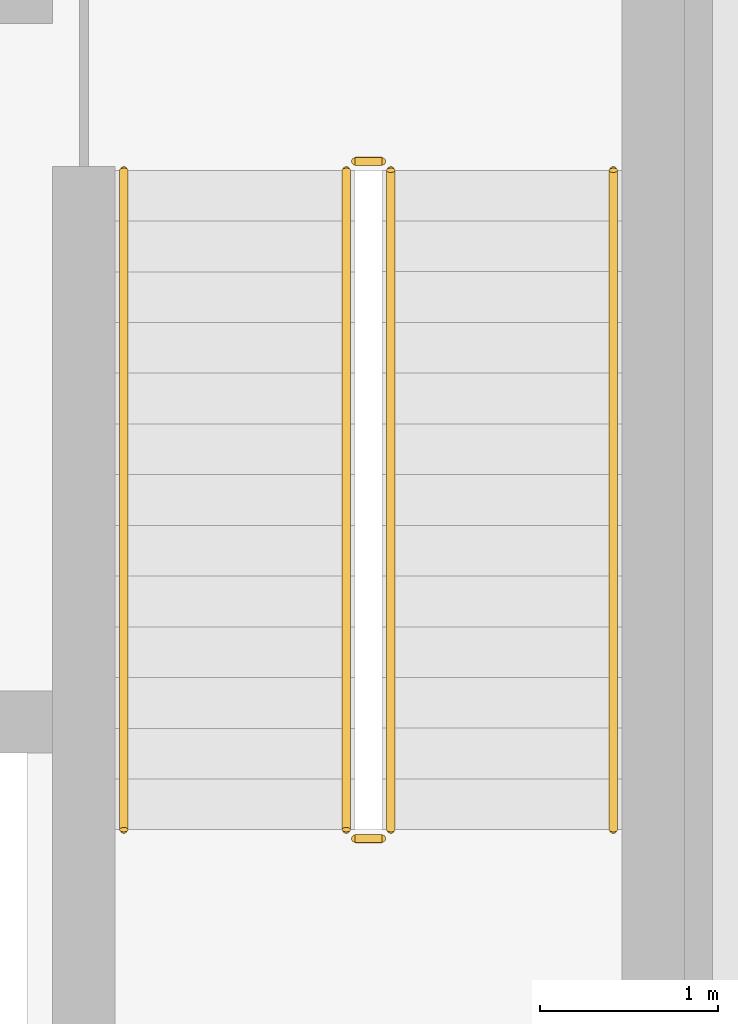
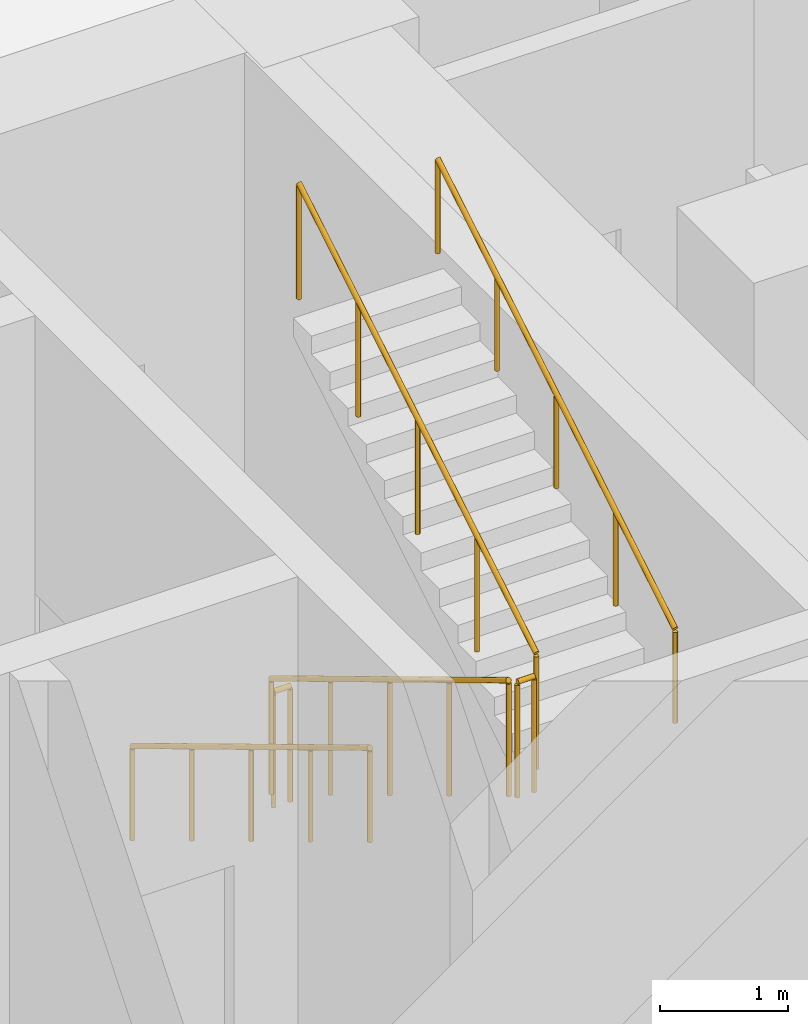
# One storey, part 12 of 13: 6 railings.
"""IFC4 building model written with IfcOpenShell, lengths in metres."""

from ifc_helpers import new_model, si_unit, direction, frame, origin, origin_2d, place, context, subcontext, project, spatial, circle, extrude, material, type_object, element, save


model = new_model("IFC4")

# Units and contexts
model_context = context("Model", 3, precision=1e-05, world=origin(), true_north=direction((0.0, 1.0)))
body_context = subcontext(model_context, "Body", "Model", "MODEL_VIEW")
ifc_project = project(units=[si_unit("LENGTHUNIT", "METRE"), si_unit("AREAUNIT", "SQUARE_METRE"), si_unit("VOLUMEUNIT", "CUBIC_METRE"), si_unit("PLANEANGLEUNIT", "RADIAN"), si_unit("MASSUNIT", "GRAM", prefix="KILO")], contexts=[model_context])

# Site, building, storey
site_placement = place(None, origin())
site = spatial("IfcSite", under=ifc_project, at=site_placement, CompositionType="ELEMENT")
building_placement = place(site_placement, origin())
building = spatial("IfcBuilding", under=site, at=building_placement, Name="Almagre Mirador Tower", CompositionType="ELEMENT")
storey_placement = place(building_placement, frame((0.0, 0.0, 100.199951171875)))
storey = spatial("IfcBuildingStorey", under=building, at=storey_placement, Name="L25", CompositionType="ELEMENT", Elevation=100.199951171875)

# Railings
ifc_material_1 = material(Name="Painted galvanized steel", Category="steel")
railing_type_1 = type_object("IfcRailingType", Name="RLG-GRD-1100", PredefinedType="GUARDRAIL", material=ifc_material_1)
railing_1_placement = place(storey_placement, frame((44.77490234375, 11.199951171875, 0.17138671875)))
element("IfcRailing", 1, at=railing_1_placement, inside=storey, type_object=railing_type_1, Name="L25 ST-3 stair guard 1", PredefinedType="GUARDRAIL", context=body_context, shape_type="SweptSolid", body=[
    extrude(circle(Radius=0.02392578125, at=origin_2d()), frame((0.0, 0.0, 1.09619140625), z_axis=(0.0, -0.856894455432, 0.515491893485), x_axis=(1.0, 0.0, 0.0)), (0.0, 0.0, 1.0), 4.323486328125),
    extrude(circle(Radius=0.02099609375, at=origin_2d()), origin(), (0.0, 0.0, 1.0), 1.072021484375),
    extrude(circle(Radius=0.02099609375, at=origin_2d()), frame((0.0, -0.92626953125, 0.55712890625)), (0.0, 0.0, 1.0), 1.072021484375),
    extrude(circle(Radius=0.02099609375, at=origin_2d()), frame((0.0, -1.8525390625, 1.1142578125)), (0.0, 0.0, 1.0), 1.072021484375),
    extrude(circle(Radius=0.02099609375, at=origin_2d()), frame((0.0, -2.778564453125, 1.671630859375)), (0.0, 0.0, 1.0), 1.072021484375),
    extrude(circle(Radius=0.02099609375, at=origin_2d()), frame((0.0, -3.704833984375, 2.228759765625)), (0.0, 0.0, 1.0), 1.072021484375),
])
railing_2_placement = place(storey_placement, frame((44.824951171875, 7.445068359375, 2.400146484375)))
element("IfcRailing", 2, at=railing_2_placement, inside=storey, type_object=railing_type_1, Name="L25 ST-3 stair guard 2", PredefinedType="GUARDRAIL", context=body_context, shape_type="SweptSolid", body=[
    extrude(circle(Radius=0.02392578125, at=origin_2d()), frame((0.0, 0.0, 1.09619140625), z_axis=(1.0, 0.0, 0.0), x_axis=(0.0, 1.0, 0.0)), (0.0, 0.0, 1.0), 0.150146484375),
    extrude(circle(Radius=0.02099609375, at=origin_2d()), origin(), (0.0, 0.0, 1.0), 1.072021484375),
    extrude(circle(Radius=0.02099609375, at=origin_2d()), frame((0.150146484375, 0.0, 0.0)), (0.0, 0.0, 1.0), 1.072021484375),
])
railing_3_placement = place(storey_placement, frame((45.02490234375, 7.4951171875, 2.571533203125)))
element("IfcRailing", 3, at=railing_3_placement, inside=storey, type_object=railing_type_1, Name="L25 ST-3 stair guard 3", PredefinedType="GUARDRAIL", context=body_context, shape_type="SweptSolid", body=[
    extrude(circle(Radius=0.02392578125, at=origin_2d()), frame((0.0, 0.0, 1.09619140625), z_axis=(0.0, 0.856919398105, 0.515450429384), x_axis=(-1.0, 0.0, 0.0)), (0.0, 0.0, 1.0), 4.323486328125),
    extrude(circle(Radius=0.02099609375, at=origin_2d()), origin(), (0.0, 0.0, 1.0), 1.072021484375),
    extrude(circle(Radius=0.02099609375, at=origin_2d()), frame((0.0, 0.92626953125, 0.55712890625)), (0.0, 0.0, 1.0), 1.072021484375),
    extrude(circle(Radius=0.02099609375, at=origin_2d()), frame((0.0, 1.8525390625, 1.1142578125)), (0.0, 0.0, 1.0), 1.072021484375),
    extrude(circle(Radius=0.02099609375, at=origin_2d()), frame((0.0, 2.778564453125, 1.67138671875)), (0.0, 0.0, 1.0), 1.072021484375),
    extrude(circle(Radius=0.02099609375, at=origin_2d()), frame((0.0, 3.704833984375, 2.228515625)), (0.0, 0.0, 1.0), 1.072021484375),
])
railing_4_placement = place(storey_placement, frame((44.824951171875, 11.25, 0.0)))
element("IfcRailing", 4, at=railing_4_placement, inside=storey, type_object=railing_type_1, Name="L25 ST-3 stair guard 4", PredefinedType="GUARDRAIL", context=body_context, shape_type="SweptSolid", body=[
    extrude(circle(Radius=0.02392578125, at=origin_2d()), frame((0.0, 0.0, 1.09619140625), z_axis=(1.0, 0.0, 0.0), x_axis=(0.0, 1.0, 0.0)), (0.0, 0.0, 1.0), 0.150146484375),
    extrude(circle(Radius=0.02099609375, at=origin_2d()), origin(), (0.0, 0.0, 1.0), 1.072021484375),
    extrude(circle(Radius=0.02099609375, at=origin_2d()), frame((0.150146484375, 0.0, 0.0)), (0.0, 0.0, 1.0), 1.072021484375),
])
ifc_material_2 = material(Name="Brushed stainless steel", Category="steel")
railing_type_2 = type_object("IfcRailingType", Name="RLG-HND-915", PredefinedType="HANDRAIL", material=ifc_material_2)
railing_5_placement = place(storey_placement, frame((43.52490234375, 11.199951171875, 0.17138671875)))
element("IfcRailing", 5, at=railing_5_placement, inside=storey, type_object=railing_type_2, Name="L25 ST-3 stair handrail 1", PredefinedType="HANDRAIL", context=body_context, shape_type="SweptSolid", body=[
    extrude(circle(Radius=0.02392578125, at=origin_2d()), frame((0.0, 0.0, 0.89111328125), z_axis=(0.0, -0.856894455432, 0.515491893485), x_axis=(1.0, 0.0, 0.0)), (0.0, 0.0, 1.0), 4.323486328125),
    extrude(circle(Radius=0.02099609375, at=origin_2d()), origin(), (0.0, 0.0, 1.0), 0.866943359375),
    extrude(circle(Radius=0.02099609375, at=origin_2d()), frame((0.0, -0.92626953125, 0.55712890625)), (0.0, 0.0, 1.0), 0.866943359375),
    extrude(circle(Radius=0.02099609375, at=origin_2d()), frame((0.0, -1.8525390625, 1.1142578125)), (0.0, 0.0, 1.0), 0.866943359375),
    extrude(circle(Radius=0.02099609375, at=origin_2d()), frame((0.0, -2.778564453125, 1.671630859375)), (0.0, 0.0, 1.0), 0.866943359375),
    extrude(circle(Radius=0.02099609375, at=origin_2d()), frame((0.0, -3.704833984375, 2.228759765625)), (0.0, 0.0, 1.0), 0.866943359375),
])
railing_6_placement = place(storey_placement, frame((46.27490234375, 7.4951171875, 2.571533203125)))
element("IfcRailing", 6, at=railing_6_placement, inside=storey, type_object=railing_type_2, Name="L25 ST-3 stair handrail 2", PredefinedType="HANDRAIL", context=body_context, shape_type="SweptSolid", body=[
    extrude(circle(Radius=0.02392578125, at=origin_2d()), frame((0.0, 0.0, 0.89111328125), z_axis=(0.0, 0.856919398105, 0.515450429384), x_axis=(-1.0, 0.0, 0.0)), (0.0, 0.0, 1.0), 4.323486328125),
    extrude(circle(Radius=0.02099609375, at=origin_2d()), origin(), (0.0, 0.0, 1.0), 0.866943359375),
    extrude(circle(Radius=0.02099609375, at=origin_2d()), frame((0.0, 0.92626953125, 0.55712890625)), (0.0, 0.0, 1.0), 0.866943359375),
    extrude(circle(Radius=0.02099609375, at=origin_2d()), frame((0.0, 1.8525390625, 1.1142578125)), (0.0, 0.0, 1.0), 0.866943359375),
    extrude(circle(Radius=0.02099609375, at=origin_2d()), frame((0.0, 2.778564453125, 1.67138671875)), (0.0, 0.0, 1.0), 0.866943359375),
    extrude(circle(Radius=0.02099609375, at=origin_2d()), frame((0.0, 3.704833984375, 2.228515625)), (0.0, 0.0, 1.0), 0.866943359375),
])

save(model, "model.ifc")
